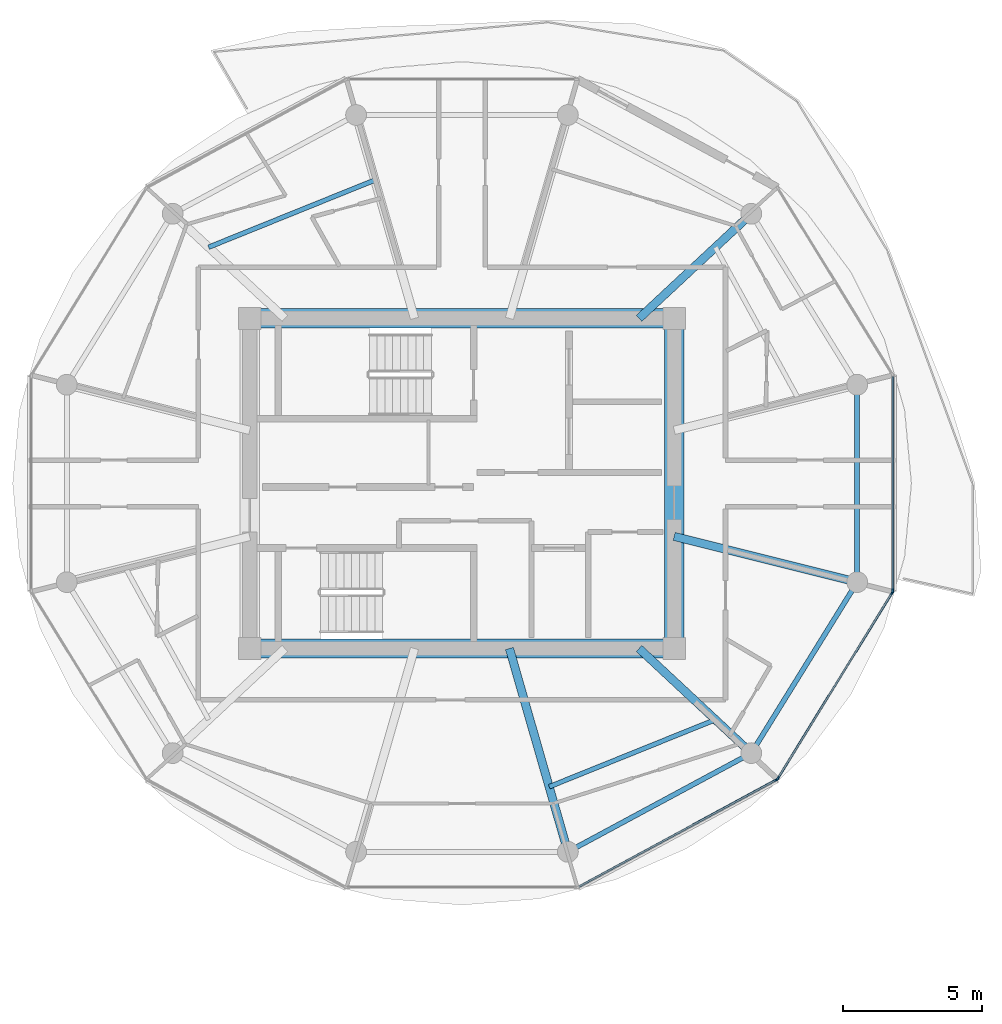
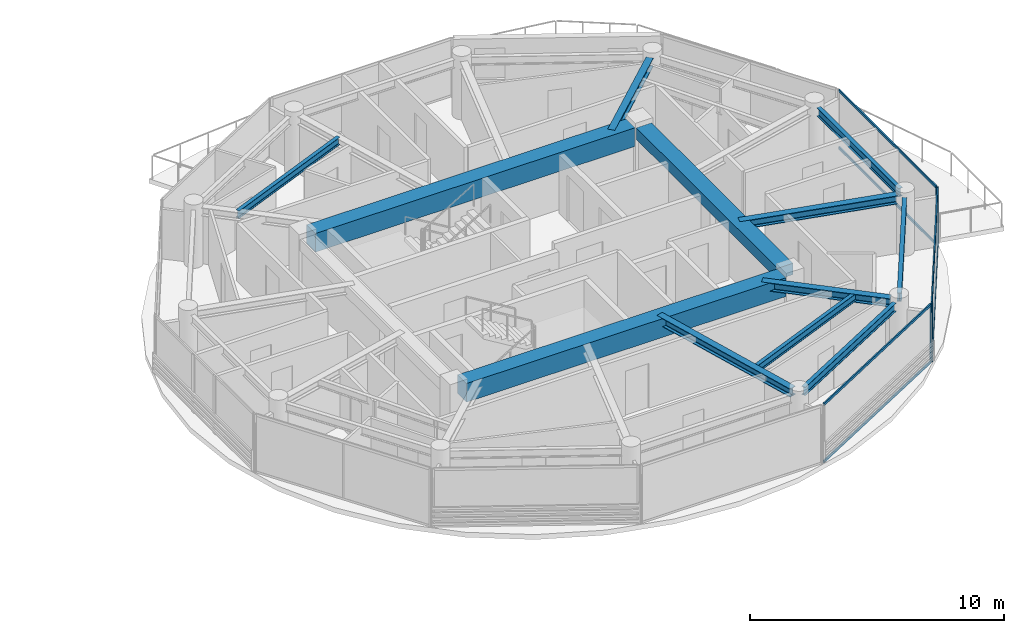
# One storey, part 6 of 19: 12 beams, 10 members, 3 elements without a shape of their own.
"""IFC4 building model written with IfcOpenShell, lengths in metres."""

import ifcopenshell
import ifcopenshell.guid

model = None  # the IFC model being written
_history = None  # IfcOwnerHistory: only IFC2X3 demands one
_inside = {}  # id of a spatial element -> (the spatial element, [elements in it])
_under = {}  # id of a project, library or spatial element -> (it, [spatial elements below it])
_declared = {}  # id of a project -> (the project, [libraries it declares])
_typed = {}  # id of a type object -> (the type object, [elements of that type])
_made_of = {}  # id of a material, layer set ... -> (it, [elements and type objects made of it])


def new_model(schema):
    """Start an empty IFC model of exactly this schema.

    Asked for "IFC4X3", IfcOpenShell would pick the latest addendum, in which some entities
    have other attributes; the version numbers below select the first issue.
    IFC2X3 requires an IfcOwnerHistory on every rooted entity: one is made here for all.
    """
    global model, _history
    if schema == "IFC4X3":
        model = ifcopenshell.file(schema_version=(4, 3, 0, 0))
    else:
        model = ifcopenshell.file(schema=schema)
    _inside.clear()
    _under.clear()
    _declared.clear()
    _typed.clear()
    _made_of.clear()
    _history = None
    if model.schema == "IFC2X3":
        org = make("IfcOrganization", Name="unknown")
        user = make(
            "IfcPersonAndOrganization",
            ThePerson=make("IfcPerson", FamilyName="unknown"),
            TheOrganization=org,
        )
        app = make(
            "IfcApplication",
            ApplicationDeveloper=org,
            Version="unknown",
            ApplicationFullName="unknown",
            ApplicationIdentifier="unknown",
        )
        _history = make(
            "IfcOwnerHistory",
            OwningUser=user,
            OwningApplication=app,
            ChangeAction="ADDED",
            CreationDate=0,
        )
    return model


def make(cls, **values):
    """One entity of the class cls with the attributes given. An attribute that is None is left unset."""
    return model.create_entity(
        cls, **{name: value for name, value in values.items() if value is not None}
    )


def rooted(cls, **values):
    """An entity with a GlobalId (a new one), such as an element, a storey or a relation."""
    return make(cls, GlobalId=ifcopenshell.guid.new(), OwnerHistory=_history, **values)


def si_unit(unit_type, name, prefix=None):
    """IfcSIUnit, for example si_unit("LENGTHUNIT", "METRE", prefix="MILLI")."""
    return make("IfcSIUnit", UnitType=unit_type, Prefix=prefix, Name=name)


def assignment(units):
    """IfcUnitAssignment: the units of a project."""
    return None if units is None else make("IfcUnitAssignment", Units=units)


def point(xyz):
    """IfcCartesianPoint."""
    return None if xyz is None else make("IfcCartesianPoint", Coordinates=xyz)


def direction(xyz):
    """IfcDirection."""
    return None if xyz is None else make("IfcDirection", DirectionRatios=xyz)


def frame(location, z_axis=None, x_axis=None):
    """IfcAxis2Placement3D, a coordinate frame: its origin and axes. An axis left out is left unset."""
    return make(
        "IfcAxis2Placement3D",
        Location=point(location),
        Axis=direction(z_axis),
        RefDirection=direction(x_axis),
    )


def frame_2d(location, x_axis=None):
    """IfcAxis2Placement2D, a coordinate frame in the plane: its origin and x axis."""
    return make(
        "IfcAxis2Placement2D", Location=point(location), RefDirection=direction(x_axis)
    )


def origin():
    """The frame at (0, 0, 0) with its axes left unset."""
    return frame((0.0, 0.0, 0.0))


def origin_2d():
    """The frame at (0, 0) in the plane with its x axis left unset."""
    return frame_2d((0.0, 0.0))


def place(relative_to, where):
    """IfcLocalPlacement: puts the frame where relative to a parent placement (None: the world)."""
    return make(
        "IfcLocalPlacement", PlacementRelTo=relative_to, RelativePlacement=where
    )


def context(
    kind, dimensions, precision=None, world=None, true_north=None, identifier=None
):
    """IfcGeometricRepresentationContext, for example the 3D "Model" context."""
    return make(
        "IfcGeometricRepresentationContext",
        ContextIdentifier=identifier,
        ContextType=kind,
        CoordinateSpaceDimension=dimensions,
        Precision=precision,
        WorldCoordinateSystem=world,
        TrueNorth=true_north,
    )


def subcontext(parent, identifier, kind, view, scale=None):
    """IfcGeometricRepresentationSubContext, for example "Body" below "Model"."""
    return make(
        "IfcGeometricRepresentationSubContext",
        ContextIdentifier=identifier,
        ContextType=kind,
        ParentContext=parent,
        TargetScale=scale,
        TargetView=view,
    )


def project(units=None, contexts=None):
    """IfcProject with its units and contexts."""
    return rooted(
        "IfcProject",
        Name="project",
        RepresentationContexts=contexts,
        UnitsInContext=assignment(units),
    )


def spatial(cls, under=None, at=None, **own):
    """A site, building, storey or space (cls), placed at a placement, below another one or the project."""
    s = rooted(cls, ObjectPlacement=at, **own)
    if under is not None:
        _under.setdefault(under.id(), (under, []))[1].append(s)
    return s


def profile(cls, at=None, kind="AREA", **sizes):
    """A parametric profile (cls). Its sizes go by their IFC names, for example OverallWidth=200.0."""
    return make(cls, ProfileType=kind, Position=at, **sizes)


def rectangle(**sizes):
    """IfcRectangleProfileDef."""
    return profile("IfcRectangleProfileDef", **sizes)


def i_section(**sizes):
    """IfcIShapeProfileDef."""
    return profile("IfcIShapeProfileDef", **sizes)


def extrude(swept, where, along, depth):
    """IfcExtrudedAreaSolid: the profile swept, set in the frame where, extruded along a direction by depth."""
    return make(
        "IfcExtrudedAreaSolid",
        SweptArea=swept,
        Position=where,
        ExtrudedDirection=direction(along),
        Depth=depth,
    )


def shape(context_of_items, identifier, shape_type, items):
    """IfcShapeRepresentation: the items that make up one representation, for example the "Body"."""
    return make(
        "IfcShapeRepresentation",
        ContextOfItems=context_of_items,
        RepresentationIdentifier=identifier,
        RepresentationType=shape_type,
        Items=items,
    )


def source(mapping_origin, context_of_items, identifier, shape_type, items):
    """IfcRepresentationMap: a shape defined once, which mapped items show again and again."""
    return make(
        "IfcRepresentationMap",
        MappingOrigin=mapping_origin,
        MappedRepresentation=shape(context_of_items, identifier, shape_type, items),
    )


def transform(
    local_origin,
    x_axis=None,
    y_axis=None,
    z_axis=None,
    scale=None,
    scale2=None,
    scale3=None,
    uniform=True,
):
    """IfcCartesianTransformationOperator3D, or its non-uniform kind. x_axis, y_axis, z_axis: its Axis1, 2, 3."""
    if uniform:
        return make(
            "IfcCartesianTransformationOperator3D",
            Axis1=direction(x_axis),
            Axis2=direction(y_axis),
            LocalOrigin=point(local_origin),
            Scale=scale,
            Axis3=direction(z_axis),
        )
    return make(
        "IfcCartesianTransformationOperator3DnonUniform",
        Axis1=direction(x_axis),
        Axis2=direction(y_axis),
        LocalOrigin=point(local_origin),
        Scale=scale,
        Axis3=direction(z_axis),
        Scale2=scale2,
        Scale3=scale3,
    )


def mapped(mapping_source, mapping_target):
    """IfcMappedItem: shows the shape of a source again, moved by a transform."""
    return make(
        "IfcMappedItem", MappingSource=mapping_source, MappingTarget=mapping_target
    )


def material(Name=None, Category=None):
    """IfcMaterial."""
    return make("IfcMaterial", Name=Name, Category=Category)


def layer(
    of_material, thickness, ventilated=None, Name=None, Category=None, Priority=None
):
    """IfcMaterialLayer: one layer of a wall or slab, of a material (None: an air gap)."""
    return make(
        "IfcMaterialLayer",
        Material=of_material,
        LayerThickness=thickness,
        IsVentilated=ventilated,
        Name=Name,
        Category=Category,
        Priority=Priority,
    )


def layer_set(layers, Name=None):
    """IfcMaterialLayerSet."""
    return make("IfcMaterialLayerSet", MaterialLayers=layers, LayerSetName=Name)


def material_profile(
    of_material, cross_section, Name=None, Category=None, Priority=None
):
    """IfcMaterialProfile: a cross section and its material."""
    return make(
        "IfcMaterialProfile",
        Name=Name,
        Material=of_material,
        Profile=cross_section,
        Priority=Priority,
        Category=Category,
    )


def profile_set(profiles, Name=None, composite=None):
    """IfcMaterialProfileSet."""
    return make(
        "IfcMaterialProfileSet",
        Name=Name,
        MaterialProfiles=profiles,
        CompositeProfile=composite,
    )


def made_of(thing, what):
    """Note that an element or type object is made of a material, layer set ...; save() writes the relation."""
    if what is not None:
        _made_of.setdefault(what.id(), (what, []))[1].append(thing)
    return thing


def type_object(cls, material=None, **own):
    """A type object (cls), such as IfcWallType, which elements share."""
    return made_of(rooted(cls, **own), material)


def type_shapes(of_type, sources):
    """Give a type object the sources (RepresentationMaps) that its elements show as mapped items."""
    of_type.RepresentationMaps = sources


def element(
    cls,
    number,
    at=None,
    inside=None,
    cuts=None,
    type_object=None,
    material=None,
    context=None,
    identifier="Body",
    shape_type=None,
    held_by="IfcProductDefinitionShape",
    body=None,
    shapes=None,
    **own,
):
    """One element of the class cls, such as IfcWall. Its Tag is "e" and its number.

    at: its placement. inside: the storey or other place that contains it. cuts: it is an
    opening in that element (IfcRelVoidsElement). A single representation is given by context,
    identifier, shape_type and body (its items); several are given by shapes. held_by: the class
    of the entity that holds the representations. save() writes the other relations.
    """
    e = rooted(cls, Tag="e%d" % number, ObjectPlacement=at, **own)
    if body is not None:
        shapes = [shape(context, identifier, shape_type, body)]
    if shapes is not None:
        e.Representation = make(held_by, Representations=shapes)
    if inside is not None:
        _inside.setdefault(inside.id(), (inside, []))[1].append(e)
    if cuts is not None:
        rooted(
            "IfcRelVoidsElement", RelatingBuildingElement=cuts, RelatedOpeningElement=e
        )
    if type_object is not None:
        _typed.setdefault(type_object.id(), (type_object, []))[1].append(e)
    return made_of(e, material)


def aggregate(whole, parts):
    """IfcRelAggregates: a whole, such as a stair, and the parts it consists of."""
    return rooted("IfcRelAggregates", RelatingObject=whole, RelatedObjects=parts)


def save(model, path):
    """Write the relations noted so far, then the file.

    IfcRelAggregates (storeys below a building ...), IfcRelContainedInSpatialStructure (elements
    in a storey), IfcRelDefinesByType, IfcRelAssociatesMaterial and IfcRelDeclares: one each for
    every whole, place, type object, material and project.
    """
    for whole, parts in _under.values():
        aggregate(whole, parts)
    for where, things in _inside.values():
        rooted(
            "IfcRelContainedInSpatialStructure",
            RelatedElements=things,
            RelatingStructure=where,
        )
    for kind, things in _typed.values():
        rooted("IfcRelDefinesByType", RelatedObjects=things, RelatingType=kind)
    for what, things in _made_of.values():
        rooted("IfcRelAssociatesMaterial", RelatedObjects=things, RelatingMaterial=what)
    for by, libraries in _declared.values():
        rooted("IfcRelDeclares", RelatingContext=by, RelatedDefinitions=libraries)
    model.write(path)


model = new_model("IFC4")

# Units and contexts
model_context = context("Model", 3, precision=1e-05, world=origin(), true_north=direction((0.0, 1.0)))
body_context = subcontext(model_context, "Body", "Model", "MODEL_VIEW")
ifc_project = project(units=[si_unit("LENGTHUNIT", "METRE"), si_unit("AREAUNIT", "SQUARE_METRE"), si_unit("VOLUMEUNIT", "CUBIC_METRE"), si_unit("PLANEANGLEUNIT", "RADIAN"), si_unit("MASSUNIT", "GRAM", prefix="KILO")], contexts=[model_context])

# Site, building, storey
site_placement = place(None, origin())
site = spatial("IfcSite", under=ifc_project, at=site_placement, CompositionType="ELEMENT")
building_placement = place(site_placement, origin())
building = spatial("IfcBuilding", under=site, at=building_placement, Name="Norrkilde Senior Care Towers", CompositionType="ELEMENT")
storey_placement = place(building_placement, frame((0.0, 0.0, 235.25)))
storey = spatial("IfcBuildingStorey", under=building, at=storey_placement, Name="L73", CompositionType="ELEMENT", Elevation=235.25)

# Beams
ifc_material_1 = material(Name="Concrete C60/75", Category="concrete")
ifc_material_profile_1 = material_profile(ifc_material_1, rectangle(XDim=0.699951171875, YDim=0.89990234375, at=origin_2d()), Name="RC BM 700x900")
ifc_profile_set_1 = profile_set([ifc_material_profile_1], Name="Concrete C60/75")
beam_type_1 = type_object("IfcBeamType", Name="Core Coupling Girder 700x900", PredefinedType="USERDEFINED", material=ifc_profile_set_1)
shared_shape_1 = source(origin(), body_context, "Body", "SweptSolid", [
    extrude(rectangle(XDim=0.699951171875, YDim=0.89990234375, at=origin_2d()), origin(), (0.0, 0.0, 1.0), 14.5400390625),
])
type_shapes(beam_type_1, [shared_shape_1])
for number, where, z_axis, x_axis, name in (
    (1, (20.72998046875, 5.949951171875, 2.360107421875), (1.0, 0.0, 0.0), (0.0, 1.0, 0.0), "L73 Core E N Coupling Girder"),
    (2, (20.72998046875, -5.949951171875, 2.360107421875), (1.0, 0.0, 0.0), (0.0, 1.0, 0.0), "L73 Core E S Coupling Girder"),
):
    element("IfcBeam", number, at=place(storey_placement, frame(where, z_axis=z_axis, x_axis=x_axis)), inside=storey, type_object=beam_type_1, Name=name, ObjectType="GIRDER", PredefinedType="USERDEFINED", context=body_context, shape_type="MappedRepresentation", body=[
        mapped(shared_shape_1, transform((0.0, 0.0, 0.0), x_axis=(1.0, 0.0, 0.0), y_axis=(0.0, 1.0, 0.0), z_axis=(0.0, 0.0, 1.0), scale=1.0)),
    ])
ifc_material_profile_2 = material_profile(ifc_material_1, rectangle(XDim=0.699951171875, YDim=0.550048828125, at=origin_2d()), Name="RC BM 700x550")
ifc_profile_set_2 = profile_set([ifc_material_profile_2], Name="Concrete C60/75")
beam_type_2 = type_object("IfcBeamType", Name="Core Portal Coupling Beam 700x550", PredefinedType="USERDEFINED", material=ifc_profile_set_2)
shared_shape_2 = source(origin(), body_context, "Body", "SweptSolid", [
    extrude(rectangle(XDim=0.699951171875, YDim=0.550048828125, at=origin_2d()), origin(), (0.0, 0.0, 1.0), 11.14013671875),
])
type_shapes(beam_type_2, [shared_shape_2])
beam_1_placement = place(storey_placement, frame((35.64990234375, -5.570068359375, 2.534912109375), z_axis=(0.0, 1.0, 0.0), x_axis=(-1.0, 0.0, 0.0)))
element("IfcBeam", 3, at=beam_1_placement, inside=storey, type_object=beam_type_2, Name="L73 Core E E Coupling Girder", ObjectType="GIRDER", PredefinedType="USERDEFINED", context=body_context, shape_type="MappedRepresentation", body=[
    mapped(shared_shape_2, transform((0.0, 0.0, 0.0), x_axis=(1.0, 0.0, 0.0), y_axis=(0.0, 1.0, 0.0), z_axis=(0.0, 0.0, 1.0), scale=1.0)),
])
ifc_material_2 = material(Name="Steel S355", Category="steel")
ifc_material_profile_3 = material_profile(ifc_material_2, i_section(OverallWidth=0.179931640625, OverallDepth=0.39990234375, WebThickness=0.008544921875, FlangeThickness=0.013427734375, FilletRadius=0.02099609375, at=origin_2d()), Name="IPE 400")
ifc_profile_set_3 = profile_set([ifc_material_profile_3], Name="Steel S355")
beam_type_3 = type_object("IfcBeamType", Name="Perimeter Ring Spandrel Z4 IPE400", PredefinedType="SPANDREL", material=ifc_profile_set_3)
shared_shape_3 = source(origin(), body_context, "Body", "SweptSolid", [
    extrude(i_section(OverallWidth=0.179931640625, OverallDepth=0.39990234375, WebThickness=0.008544921875, FlangeThickness=0.013427734375, FilletRadius=0.02099609375, at=origin_2d()), origin(), (0.0, 0.0, 1.0), 6.58056640625),
])
beam_2_placement = place(storey_placement, frame((38.606201171875, -9.43798828125, 2.610107421875), z_axis=(0.526529583789, 0.850156807533, 0.0), x_axis=(-0.850156807533, 0.526529583789, 0.0)))
element("IfcBeam", 4, at=beam_2_placement, inside=storey, type_object=beam_type_3, Name="L73 Drum E Perimeter Spandrel 11", PredefinedType="SPANDREL", context=body_context, shape_type="MappedRepresentation", body=[
    mapped(shared_shape_3, transform((0.0, 0.0, 0.0), x_axis=(1.0, 0.0, 0.0), y_axis=(0.0, 1.0, 0.0), z_axis=(0.0, 0.0, 1.0), scale=1.0)),
])
ifc_material_profile_4 = material_profile(ifc_material_2, i_section(OverallWidth=0.300048828125, OverallDepth=0.39990234375, WebThickness=0.013427734375, FlangeThickness=0.02392578125, FilletRadius=0.027099609375, at=origin_2d()), Name="HEB 400")
ifc_profile_set_4 = profile_set([ifc_material_profile_4], Name="Steel S355")
beam_type_4 = type_object("IfcBeamType", Name="Radial Floor Beam Z4 HEB400", PredefinedType="BEAM", material=ifc_profile_set_4)
shared_shape_4 = source(origin(), body_context, "Body", "SweptSolid", [
    extrude(i_section(OverallWidth=0.300048828125, OverallDepth=0.39990234375, WebThickness=0.013427734375, FlangeThickness=0.02392578125, FilletRadius=0.027099609375, at=origin_2d()), origin(), (0.0, 0.0, 1.0), 6.465087890625),
])
beam_3_placement = place(storey_placement, frame((35.64990234375, -1.910888671875, 2.610107421875), z_axis=(0.970195788563, -0.242322371758, 0.0), x_axis=(0.242322371758, 0.970195788563, 0.0)))
element("IfcBeam", 5, at=beam_3_placement, inside=storey, type_object=beam_type_4, Name="L73 Drum E Radial Floor Beam 12", PredefinedType="BEAM", context=body_context, shape_type="MappedRepresentation", body=[
    mapped(shared_shape_4, transform((0.0, 0.0, 0.0), x_axis=(1.0, 0.0, 0.0), y_axis=(0.0, 1.0, 0.0), z_axis=(0.0, 0.0, 1.0), scale=1.0)),
])
shared_shape_5 = source(origin(), body_context, "Body", "SweptSolid", [
    extrude(i_section(OverallWidth=0.179931640625, OverallDepth=0.39990234375, WebThickness=0.008544921875, FlangeThickness=0.013427734375, FilletRadius=0.02099609375, at=origin_2d()), origin(), (0.0, 0.0, 1.0), 6.839111328125),
])
beam_4_placement = place(storey_placement, frame((32.112548828125, -13.122802734375, 2.610107421875), z_axis=(0.880563930732, 0.473927382511, 0.0), x_axis=(-0.473927382511, 0.880563930732, 0.0)))
element("IfcBeam", 6, at=beam_4_placement, inside=storey, type_object=beam_type_3, Name="L73 Drum E Perimeter Spandrel 10", PredefinedType="SPANDREL", context=body_context, shape_type="MappedRepresentation", body=[
    mapped(shared_shape_5, transform((0.0, 0.0, 0.0), x_axis=(1.0, 0.0, 0.0), y_axis=(0.0, 1.0, 0.0), z_axis=(0.0, 0.0, 1.0), scale=1.0)),
])
shared_shape_6 = source(origin(), body_context, "Body", "SweptSolid", [
    extrude(i_section(OverallWidth=0.300048828125, OverallDepth=0.39990234375, WebThickness=0.013427734375, FlangeThickness=0.02392578125, FilletRadius=0.027099609375, at=origin_2d()), origin(), (0.0, 0.0, 1.0), 5.197998046875),
])
for number, where, z_axis, x_axis, name in (
    (7, (34.3828125, 5.949951171875, 2.610107421875), (0.731448749334, 0.681896419625, 0.0), (-0.681896419625, 0.731448749334, 0.0), "L73 Drum E Radial Floor Beam 02"),
    (8, (34.3828125, -5.949951171875, 2.610107421875), (0.731448749334, -0.681896419625, 0.0), (0.681896419625, 0.731448749334, 0.0), "L73 Drum E Radial Floor Beam 11"),
):
    element("IfcBeam", number, at=place(storey_placement, frame(where, z_axis=z_axis, x_axis=x_axis)), inside=storey, type_object=beam_type_4, Name=name, PredefinedType="BEAM", context=body_context, shape_type="MappedRepresentation", body=[
        mapped(shared_shape_6, transform((0.0, 0.0, 0.0), x_axis=(1.0, 0.0, 0.0), y_axis=(0.0, 1.0, 0.0), z_axis=(0.0, 0.0, 1.0), scale=1.0)),
    ])
shared_shape_7 = source(origin(), body_context, "Body", "SweptSolid", [
    extrude(i_section(OverallWidth=0.300048828125, OverallDepth=0.39990234375, WebThickness=0.013427734375, FlangeThickness=0.02392578125, FilletRadius=0.027099609375, at=origin_2d()), origin(), (0.0, 0.0, 1.0), 7.29345703125),
])
type_shapes(beam_type_4, [shared_shape_4, shared_shape_6, shared_shape_7])
beam_5_placement = place(storey_placement, frame((29.710205078125, -5.949951171875, 2.610107421875), z_axis=(0.276263751906, -0.961081858836, 0.0), x_axis=(0.961081858836, 0.276263751906, 0.0)))
element("IfcBeam", 9, at=beam_5_placement, inside=storey, type_object=beam_type_4, Name="L73 Drum E Radial Floor Beam 10", PredefinedType="BEAM", context=body_context, shape_type="MappedRepresentation", body=[
    mapped(shared_shape_7, transform((0.0, 0.0, 0.0), x_axis=(1.0, 0.0, 0.0), y_axis=(0.0, 1.0, 0.0), z_axis=(0.0, 0.0, 1.0), scale=1.0)),
])
shared_shape_8 = source(origin(), body_context, "Body", "SweptSolid", [
    extrude(i_section(OverallWidth=0.179931640625, OverallDepth=0.39990234375, WebThickness=0.008544921875, FlangeThickness=0.013427734375, FilletRadius=0.02099609375, at=origin_2d()), origin(), (0.0, 0.0, 1.0), 6.44775390625),
])
type_shapes(beam_type_3, [shared_shape_3, shared_shape_5, shared_shape_8])
beam_6_placement = place(storey_placement, frame((42.247314453125, -3.223876953125, 2.610107421875), z_axis=(0.0, 1.0, 0.0), x_axis=(-1.0, 0.0, 0.0)))
element("IfcBeam", 10, at=beam_6_placement, inside=storey, type_object=beam_type_3, Name="L73 Drum E Perimeter Spandrel 12", PredefinedType="SPANDREL", context=body_context, shape_type="MappedRepresentation", body=[
    mapped(shared_shape_8, transform((0.0, 0.0, 0.0), x_axis=(1.0, 0.0, 0.0), y_axis=(0.0, 1.0, 0.0), z_axis=(0.0, 0.0, 1.0), scale=1.0)),
])
ifc_material_profile_5 = material_profile(ifc_material_2, i_section(OverallWidth=0.169921875, OverallDepth=0.360107421875, WebThickness=0.008056640625, FlangeThickness=0.0126953125, FilletRadius=0.01806640625, at=origin_2d()), Name="IPE 360")
ifc_profile_set_5 = profile_set([ifc_material_profile_5], Name="Steel S355")
beam_type_5 = type_object("IfcBeamType", Name="Secondary Floor Joist IPE360", PredefinedType="JOIST", material=ifc_profile_set_5)
shared_shape_9 = source(origin(), body_context, "Body", "SweptSolid", [
    extrude(i_section(OverallWidth=0.169921875, OverallDepth=0.360107421875, WebThickness=0.008056640625, FlangeThickness=0.0126953125, FilletRadius=0.01806640625, at=origin_2d()), origin(), (0.0, 0.0, 1.0), 6.461669921875),
])
type_shapes(beam_type_5, [shared_shape_9])
for number, where, z_axis, x_axis, name in (
    (11, (24.856689453125, 10.935302734375, 2.6298828125), (-0.927225942298, -0.374502405772, 0.0), (0.374502405772, -0.927225942298, 0.0), "L73 Drum E Secondary Floor Joist 2"),
    (12, (31.143310546875, -10.935302734375, 2.6298828125), (0.927225942298, 0.374502405772, 0.0), (-0.374502405772, 0.927225942298, 0.0), "L73 Drum E Secondary Floor Joist 4"),
):
    element("IfcBeam", number, at=place(storey_placement, frame(where, z_axis=z_axis, x_axis=x_axis)), inside=storey, type_object=beam_type_5, Name=name, PredefinedType="JOIST", context=body_context, shape_type="MappedRepresentation", body=[
        mapped(shared_shape_9, transform((0.0, 0.0, 0.0), x_axis=(1.0, 0.0, 0.0), y_axis=(0.0, 1.0, 0.0), z_axis=(0.0, 0.0, 1.0), scale=1.0)),
    ])

# Curtain wall, member
ifc_material_3 = material(Name="Triple Low-E Insulated Glazing", Category="glass")
ifc_layer = layer(ifc_material_3, 0.18505859375)
ifc_layer_set = layer_set([ifc_layer], Name="Triple Low-E Insulated Glazing")
curtain_wall_type = type_object("IfcCurtainWallType", Name="CW6 Zone 4 Crown Pavilion Curtain Wall", PredefinedType="NOTDEFINED", material=ifc_layer_set)
curtain_wall_1_placement = place(storey_placement, origin())
curtain_wall_1 = element("IfcCurtainWall", 13, at=curtain_wall_1_placement, inside=storey, type_object=curtain_wall_type, Name="L73 Drum E Curtain Wall 09", PredefinedType="NOTDEFINED")
ifc_material_4 = material(Name="Anodised Aluminium", Category="aluminium")
ifc_material_profile_6 = material_profile(ifc_material_4, rectangle(XDim=0.06494140625, YDim=0.14990234375, at=origin_2d()), Name="ALU MULL 65x150")
ifc_profile_set_6 = profile_set([ifc_material_profile_6], Name="Anodised Aluminium")
member_type_1 = type_object("IfcMemberType", Name="Curtain Wall Mullion Z3-Z4 65x150", PredefinedType="MULLION", material=ifc_profile_set_6)
shared_shape_10 = source(origin(), body_context, "Body", "SweptSolid", [
    extrude(rectangle(XDim=0.06494140625, YDim=0.14990234375, at=origin_2d()), origin(), (0.0, 0.0, 1.0), 2.81005859375),
])
type_shapes(member_type_1, [shared_shape_10])
member_1_placement = place(storey_placement, frame((39.341796875, -10.6787109375, 0.0), z_axis=(0.0, 0.0, 1.0), x_axis=(0.476132676136, -0.879373455772, 0.0)))
member_1 = element("IfcMember", 14, at=member_1_placement, type_object=member_type_1, Name="CW-6 mullion 1", PredefinedType="MULLION", context=body_context, shape_type="MappedRepresentation", body=[
    mapped(shared_shape_10, transform((0.0, 0.0, 0.0), x_axis=(1.0, 0.0, 0.0), y_axis=(0.0, 1.0, 0.0), z_axis=(0.0, 0.0, 1.0), scale=1.0)),
])

# Curtain wall, members
curtain_wall_2_placement = place(storey_placement, origin())
curtain_wall_2 = element("IfcCurtainWall", 15, at=curtain_wall_2_placement, inside=storey, type_object=curtain_wall_type, Name="L73 Drum E Curtain Wall 10", PredefinedType="NOTDEFINED")
member_2_placement = place(storey_placement, frame((43.51513671875, -3.9306640625, 0.0), z_axis=(0.0, 0.0, 1.0), x_axis=(0.851562727283, -0.524252726748, 0.0)))
member_2 = element("IfcMember", 16, at=member_2_placement, type_object=member_type_1, Name="CW-6 mullion 1", PredefinedType="MULLION", context=body_context, shape_type="MappedRepresentation", body=[
    mapped(shared_shape_10, transform((0.0, 0.0, 0.0), x_axis=(1.0, 0.0, 0.0), y_axis=(0.0, 1.0, 0.0), z_axis=(0.0, 0.0, 1.0), scale=1.0)),
])
member_3_placement = place(storey_placement, frame((39.38720703125, -10.635498046875, 0.0), z_axis=(0.0, 0.0, 1.0), x_axis=(0.851562727283, -0.524252726748, 0.0)))
member_3 = element("IfcMember", 17, at=member_3_placement, type_object=member_type_1, Name="CW-6 mullion 2", PredefinedType="MULLION", context=body_context, shape_type="MappedRepresentation", body=[
    mapped(shared_shape_10, transform((0.0, 0.0, 0.0), x_axis=(1.0, 0.0, 0.0), y_axis=(0.0, 1.0, 0.0), z_axis=(0.0, 0.0, 1.0), scale=1.0)),
])

# Curtain wall, member
curtain_wall_3_placement = place(storey_placement, origin())
curtain_wall_3 = element("IfcCurtainWall", 18, at=curtain_wall_3_placement, inside=storey, type_object=curtain_wall_type, Name="L73 Drum E Curtain Wall 11", PredefinedType="NOTDEFINED")
member_4_placement = place(storey_placement, frame((43.531982421875, -3.87060546875, 0.0), z_axis=(0.0, 0.0, 1.0), x_axis=(1.0, 0.0, 0.0)))
member_4 = element("IfcMember", 19, at=member_4_placement, type_object=member_type_1, Name="CW-6 mullion 2", PredefinedType="MULLION", context=body_context, shape_type="MappedRepresentation", body=[
    mapped(shared_shape_10, transform((0.0, 0.0, 0.0), x_axis=(1.0, 0.0, 0.0), y_axis=(0.0, 1.0, 0.0), z_axis=(0.0, 0.0, 1.0), scale=1.0)),
])

# Member
ifc_material_profile_7 = material_profile(ifc_material_4, rectangle(XDim=0.06005859375, YDim=0.1201171875, at=origin_2d()), Name="ALU TRAN 60x120")
ifc_profile_set_7 = profile_set([ifc_material_profile_7], Name="Anodised Aluminium")
member_type_2 = type_object("IfcMemberType", Name="Curtain Wall Transom Typical 60x120", PredefinedType="USERDEFINED", material=ifc_profile_set_7)
shared_shape_11 = source(origin(), body_context, "Body", "SweptSolid", [
    extrude(rectangle(XDim=0.06005859375, YDim=0.1201171875, at=origin_2d()), origin(), (0.0, 0.0, 1.0), 7.808837890625),
])
member_5_placement = place(storey_placement, frame((43.498046875, -3.958251953125, 0.030029296875), z_axis=(-0.524250924101, -0.851563837055, 0.0), x_axis=(0.851563837055, -0.524250924101, 0.0)))
member_5 = element("IfcMember", 20, at=member_5_placement, type_object=member_type_2, Name="CW-6 transom 1.1", ObjectType="TRANSOM", PredefinedType="USERDEFINED", context=body_context, shape_type="MappedRepresentation", body=[
    mapped(shared_shape_11, transform((0.0, 0.0, 0.0), x_axis=(1.0, 0.0, 0.0), y_axis=(0.0, 1.0, 0.0), z_axis=(0.0, 0.0, 1.0), scale=1.0)),
])

member_6_placement = place(storey_placement, frame((43.498046875, -3.958251953125, 2.780029296875), z_axis=(-0.524250924101, -0.851563837055, 0.0), x_axis=(0.851563837055, -0.524250924101, 0.0)))
member_6 = element("IfcMember", 21, at=member_6_placement, type_object=member_type_2, Name="CW-6 transom 1.2", ObjectType="TRANSOM", PredefinedType="USERDEFINED", context=body_context, shape_type="MappedRepresentation", body=[
    mapped(shared_shape_11, transform((0.0, 0.0, 0.0), x_axis=(1.0, 0.0, 0.0), y_axis=(0.0, 1.0, 0.0), z_axis=(0.0, 0.0, 1.0), scale=1.0)),
])

aggregate(curtain_wall_2, [member_2, member_3, member_5, member_6])

shared_shape_12 = source(origin(), body_context, "Body", "SweptSolid", [
    extrude(rectangle(XDim=0.06005859375, YDim=0.1201171875, at=origin_2d()), origin(), (0.0, 0.0, 1.0), 8.0673828125),
])
member_7_placement = place(storey_placement, frame((39.313232421875, -10.694091796875, 0.030029296875), z_axis=(-0.87937750072, -0.476125205411, 0.0), x_axis=(0.476125205411, -0.87937750072, 0.0)))
member_7 = element("IfcMember", 22, at=member_7_placement, type_object=member_type_2, Name="CW-6 transom 1.1", ObjectType="TRANSOM", PredefinedType="USERDEFINED", context=body_context, shape_type="MappedRepresentation", body=[
    mapped(shared_shape_12, transform((0.0, 0.0, 0.0), x_axis=(1.0, 0.0, 0.0), y_axis=(0.0, 1.0, 0.0), z_axis=(0.0, 0.0, 1.0), scale=1.0)),
])

member_8_placement = place(storey_placement, frame((39.313232421875, -10.694091796875, 2.780029296875), z_axis=(-0.87937750072, -0.476125205411, 0.0), x_axis=(0.476125205411, -0.87937750072, 0.0)))
member_8 = element("IfcMember", 23, at=member_8_placement, type_object=member_type_2, Name="CW-6 transom 1.2", ObjectType="TRANSOM", PredefinedType="USERDEFINED", context=body_context, shape_type="MappedRepresentation", body=[
    mapped(shared_shape_12, transform((0.0, 0.0, 0.0), x_axis=(1.0, 0.0, 0.0), y_axis=(0.0, 1.0, 0.0), z_axis=(0.0, 0.0, 1.0), scale=1.0)),
])

aggregate(curtain_wall_1, [member_1, member_7, member_8])

shared_shape_13 = source(origin(), body_context, "Body", "SweptSolid", [
    extrude(rectangle(XDim=0.06005859375, YDim=0.1201171875, at=origin_2d()), origin(), (0.0, 0.0, 1.0), 7.67578125),
])
type_shapes(member_type_2, [shared_shape_11, shared_shape_12, shared_shape_13])
member_9_placement = place(storey_placement, frame((43.531982421875, 3.837890625, 0.030029296875), z_axis=(0.0, -1.0, 0.0), x_axis=(1.0, 0.0, 0.0)))
member_9 = element("IfcMember", 24, at=member_9_placement, type_object=member_type_2, Name="CW-6 transom 1.1", ObjectType="TRANSOM", PredefinedType="USERDEFINED", context=body_context, shape_type="MappedRepresentation", body=[
    mapped(shared_shape_13, transform((0.0, 0.0, 0.0), x_axis=(1.0, 0.0, 0.0), y_axis=(0.0, 1.0, 0.0), z_axis=(0.0, 0.0, 1.0), scale=1.0)),
])

member_10_placement = place(storey_placement, frame((43.531982421875, 3.837890625, 2.780029296875), z_axis=(0.0, -1.0, 0.0), x_axis=(1.0, 0.0, 0.0)))
member_10 = element("IfcMember", 25, at=member_10_placement, type_object=member_type_2, Name="CW-6 transom 1.2", ObjectType="TRANSOM", PredefinedType="USERDEFINED", context=body_context, shape_type="MappedRepresentation", body=[
    mapped(shared_shape_13, transform((0.0, 0.0, 0.0), x_axis=(1.0, 0.0, 0.0), y_axis=(0.0, 1.0, 0.0), z_axis=(0.0, 0.0, 1.0), scale=1.0)),
])

aggregate(curtain_wall_3, [member_4, member_9, member_10])

save(model, "model.ifc")
